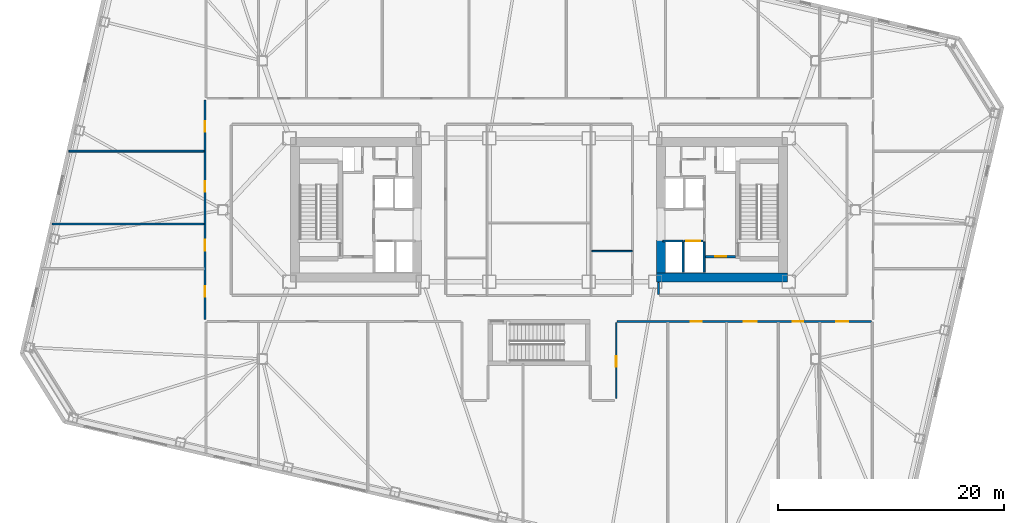
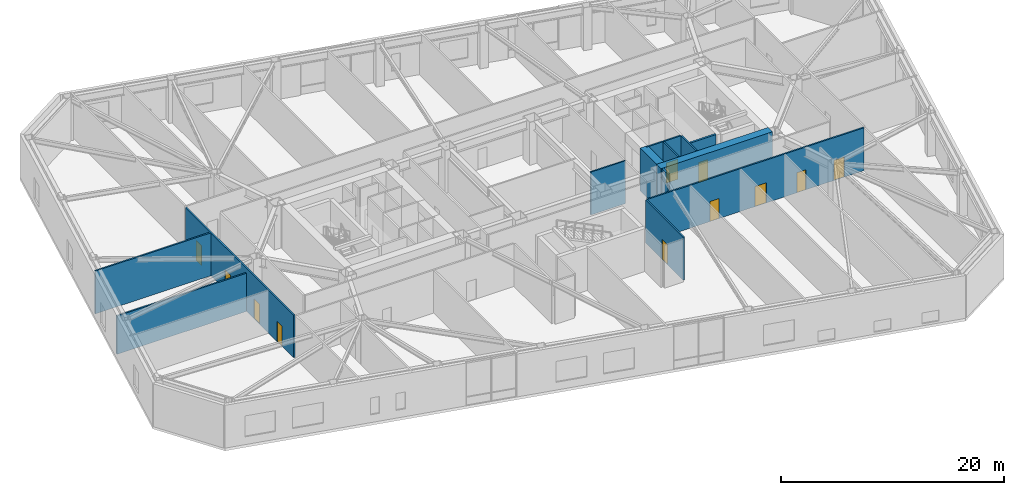
# One storey, part 11 of 21: 14 walls, 11 doors, 11 openings.
"""IFC4 building model written with IfcOpenShell, lengths in metres."""

from ifc_helpers import new_model, si_unit, direction, frame, frame_2d, origin, place, context, subcontext, project, spatial, rectangle, extrude, material, layer, layer_set, type_object, element, fill, save


model = new_model("IFC4")

# Units and contexts
model_context = context("Model", 3, precision=1e-05, world=origin(), true_north=direction((0.0, 1.0)))
body_context = subcontext(model_context, "Body", "Model", "MODEL_VIEW")
ifc_project = project(units=[si_unit("LENGTHUNIT", "METRE"), si_unit("AREAUNIT", "SQUARE_METRE"), si_unit("VOLUMEUNIT", "CUBIC_METRE"), si_unit("PLANEANGLEUNIT", "RADIAN"), si_unit("MASSUNIT", "GRAM", prefix="KILO")], contexts=[model_context])

# Site, building, storey
site_placement = place(None, origin())
site = spatial("IfcSite", under=ifc_project, at=site_placement, CompositionType="ELEMENT")
building_placement = place(site_placement, origin())
building = spatial("IfcBuilding", under=site, at=building_placement, Name="Tavrogorsk Clinical Tower", CompositionType="ELEMENT")
storey_placement = place(building_placement, frame((0.0, 0.0, 8.39990234375)))
storey = spatial("IfcBuildingStorey", under=building, at=storey_placement, Name="L01", CompositionType="ELEMENT", Elevation=8.39990234375)

# Wall, opening, door
ifc_material_1 = material(Name="Concrete B60", Category="concrete")
ifc_layer_1 = layer(ifc_material_1, 0.199951171875)
ifc_layer_set_1 = layer_set([ifc_layer_1], Name="Concrete B60")
wall_type_1 = type_object("IfcWallType", Name="CoreFireWall_200", PredefinedType="SOLIDWALL", material=ifc_layer_set_1)
wall_1_placement = place(storey_placement, frame((14.719970703125, -4.139892578125, 0.0), z_axis=(0.0, 0.0, 1.0), x_axis=(1.0, 0.0, 0.0)))
wall_1 = element("IfcWall", 1, at=wall_1_placement, inside=storey, type_object=wall_type_1, Name="L01 Core East South Core Room Fire Wall", PredefinedType="SOLIDWALL", context=body_context, shape_type="SweptSolid", body=[
    extrude(rectangle(XDim=2.659912109375, YDim=0.199951171875, at=frame_2d((1.330078125, 0.0))), origin(), (0.0, 0.0, 1.0), 4.7001953125),
])
opening_1_placement = place(wall_1_placement, frame((0.8798828125, 0.0, 0.0)))
opening_1 = element("IfcOpeningElement", 2, at=opening_1_placement, cuts=wall_1, Name="Opening ID-02", PredefinedType="OPENING", context=body_context, shape_type="SweptSolid", body=[
    extrude(rectangle(XDim=0.949951171875, YDim=2.199951171875, at=frame_2d((0.47509765625, 1.10009765625))), frame((0.0, 0.10986328125, 0.0), z_axis=(0.0, -1.0, 0.0), x_axis=(1.0, 0.0, 0.0)), (0.0, 0.0, 1.0), 0.219970703125),
])
ifc_material_2 = material(Name="Laminated timber leaf on aluminium frame", Category="wood")
door_type_1 = type_object("IfcDoorType", Name="InteriorDoor_ID02_950", OperationType="NOTDEFINED", PredefinedType="DOOR", material=ifc_material_2)
door_1_placement = place(opening_1_placement, origin())
door_1 = element("IfcDoor", 3, at=door_1_placement, inside=storey, type_object=door_type_1, Name="L01 Core East South Core Room Door", OperationType="SINGLE_SWING_LEFT", OverallHeight=2.199951171875, OverallWidth=0.949951171875, PredefinedType="DOOR", context=body_context, shape_type="SweptSolid", body=[
    extrude(rectangle(XDim=0.949951171875, YDim=2.199951171875, at=frame_2d((0.47509765625, 1.10009765625))), frame((0.0, 0.02490234375, 0.0), z_axis=(0.0, -1.0, 0.0), x_axis=(1.0, 0.0, 0.0)), (0.0, 0.0, 1.0), 0.050048828125),
])
fill(opening_1, door_1)

# Wall
ifc_material_3 = material(Name="Lightweight concrete blockwork B15", Category="masonry")
ifc_layer_2 = layer(ifc_material_3, 0.139892578125)
ifc_layer_set_2 = layer_set([ifc_layer_2], Name="Lightweight concrete blockwork B15")
wall_type_2 = type_object("IfcWallType", Name="PartitionWall_140", PredefinedType="PARTITIONING", material=ifc_layer_set_2)
wall_2_placement = place(storey_placement, frame((4.675048828125, -3.64990234375, 0.0), z_axis=(0.0, 0.0, 1.0), x_axis=(1.0, 0.0, 0.0)))
element("IfcWall", 4, at=wall_2_placement, inside=storey, type_object=wall_type_2, Name="L01 Central Spine Partition 5", PredefinedType="PARTITIONING", context=body_context, shape_type="SweptSolid", body=[
    extrude(rectangle(XDim=3.58984375, YDim=0.139892578125, at=frame_2d((1.794921875, 0.0))), origin(), (0.0, 0.0, 1.0), 4.7001953125),
])

# Wall, openings, doors
ifc_material_4 = material(Name="Lightweight concrete blockwork B15", Category="masonry")
ifc_layer_3 = layer(ifc_material_4, 0.159912109375)
ifc_layer_set_3 = layer_set([ifc_layer_3], Name="Lightweight concrete blockwork B15")
wall_type_3 = type_object("IfcWallType", Name="PartitionWall_160", PredefinedType="PARTITIONING", material=ifc_layer_set_3)
wall_3_placement = place(storey_placement, frame((-29.580078125, -9.715087890625, 0.0), z_axis=(0.0, 0.0, 1.0), x_axis=(0.0, 1.0, 0.0)))
wall_3 = element("IfcWall", 5, at=wall_3_placement, inside=storey, type_object=wall_type_3, Name="L01 Corridor Partition 01", PredefinedType="PARTITIONING", context=body_context, shape_type="SweptSolid", body=[
    extrude(rectangle(XDim=19.43017578125, YDim=0.159912109375, at=frame_2d((9.715087890625, 0.0))), origin(), (0.0, 0.0, 1.0), 4.7001953125),
])
opening_2_placement = place(wall_3_placement, frame((2.01904296875, 0.0, 0.0)))
opening_2 = element("IfcOpeningElement", 6, at=opening_2_placement, cuts=wall_3, Name="Opening ID-02", PredefinedType="OPENING", context=body_context, shape_type="SweptSolid", body=[
    extrude(rectangle(XDim=0.949951171875, YDim=2.199951171875, at=frame_2d((0.47509765625, 1.10009765625))), frame((0.0, 0.08984375, 0.0), z_axis=(0.0, -1.0, 0.0), x_axis=(1.0, 0.0, 0.0)), (0.0, 0.0, 1.0), 0.179931640625),
])
opening_3_placement = place(wall_3_placement, frame((6.10009765625, 0.0, 0.0)))
opening_3 = element("IfcOpeningElement", 7, at=opening_3_placement, cuts=wall_3, Name="Opening ID-02", PredefinedType="OPENING", context=body_context, shape_type="SweptSolid", body=[
    extrude(rectangle(XDim=0.949951171875, YDim=2.199951171875, at=frame_2d((0.47509765625, 1.10009765625))), frame((0.0, 0.08984375, 0.0), z_axis=(0.0, -1.0, 0.0), x_axis=(1.0, 0.0, 0.0)), (0.0, 0.0, 1.0), 0.179931640625),
])
opening_4_placement = place(wall_3_placement, frame((11.300048828125, 0.0, 0.0)))
opening_4 = element("IfcOpeningElement", 8, at=opening_4_placement, cuts=wall_3, Name="Opening ID-02", PredefinedType="OPENING", context=body_context, shape_type="SweptSolid", body=[
    extrude(rectangle(XDim=0.949951171875, YDim=2.199951171875, at=frame_2d((0.47509765625, 1.10009765625))), frame((0.0, 0.08984375, 0.0), z_axis=(0.0, -1.0, 0.0), x_axis=(1.0, 0.0, 0.0)), (0.0, 0.0, 1.0), 0.179931640625),
])
opening_5_placement = place(wall_3_placement, frame((16.630859375, 0.0, 0.0)))
opening_5 = element("IfcOpeningElement", 9, at=opening_5_placement, cuts=wall_3, Name="Opening ID-02", PredefinedType="OPENING", context=body_context, shape_type="SweptSolid", body=[
    extrude(rectangle(XDim=0.949951171875, YDim=2.199951171875, at=frame_2d((0.47509765625, 1.10009765625))), frame((0.0, 0.08984375, 0.0), z_axis=(0.0, -1.0, 0.0), x_axis=(1.0, 0.0, 0.0)), (0.0, 0.0, 1.0), 0.179931640625),
])
door_2_placement = place(opening_2_placement, origin())
door_2 = element("IfcDoor", 10, at=door_2_placement, inside=storey, type_object=door_type_1, Name="L01 W Solarium Day Room & Lounge 1 Door", OperationType="SINGLE_SWING_RIGHT", OverallHeight=2.199951171875, OverallWidth=0.949951171875, PredefinedType="DOOR", context=body_context, shape_type="SweptSolid", body=[
    extrude(rectangle(XDim=0.949951171875, YDim=2.199951171875, at=frame_2d((0.47509765625, 1.10009765625))), frame((0.0, 0.02490234375, 0.0), z_axis=(0.0, -1.0, 0.0), x_axis=(1.0, 0.0, 0.0)), (0.0, 0.0, 1.0), 0.050048828125),
])
fill(opening_2, door_2)
door_3_placement = place(opening_3_placement, origin())
door_3 = element("IfcDoor", 11, at=door_3_placement, inside=storey, type_object=door_type_1, Name="L01 W Rehabilitation Therapy Suite 2 Door", OperationType="SINGLE_SWING_LEFT", OverallHeight=2.199951171875, OverallWidth=0.949951171875, PredefinedType="DOOR", context=body_context, shape_type="SweptSolid", body=[
    extrude(rectangle(XDim=0.949951171875, YDim=2.199951171875, at=frame_2d((0.47509765625, 1.10009765625))), frame((0.0, 0.02490234375, 0.0), z_axis=(0.0, -1.0, 0.0), x_axis=(1.0, 0.0, 0.0)), (0.0, 0.0, 1.0), 0.050048828125),
])
fill(opening_3, door_3)
door_4_placement = place(opening_4_placement, origin())
door_4 = element("IfcDoor", 12, at=door_4_placement, inside=storey, type_object=door_type_1, Name="L01 W Sub-Acute Observation Suite 3 Door", OperationType="SINGLE_SWING_RIGHT", OverallHeight=2.199951171875, OverallWidth=0.949951171875, PredefinedType="DOOR", context=body_context, shape_type="SweptSolid", body=[
    extrude(rectangle(XDim=0.949951171875, YDim=2.199951171875, at=frame_2d((0.47509765625, 1.10009765625))), frame((0.0, 0.02490234375, 0.0), z_axis=(0.0, -1.0, 0.0), x_axis=(1.0, 0.0, 0.0)), (0.0, 0.0, 1.0), 0.050048828125),
])
fill(opening_4, door_4)
door_5_placement = place(opening_5_placement, origin())
door_5 = element("IfcDoor", 13, at=door_5_placement, inside=storey, type_object=door_type_1, Name="L01 W Family Consultation Lounge 4 Door", OperationType="SINGLE_SWING_LEFT", OverallHeight=2.199951171875, OverallWidth=0.949951171875, PredefinedType="DOOR", context=body_context, shape_type="SweptSolid", body=[
    extrude(rectangle(XDim=0.949951171875, YDim=2.199951171875, at=frame_2d((0.47509765625, 1.10009765625))), frame((0.0, 0.02490234375, 0.0), z_axis=(0.0, -1.0, 0.0), x_axis=(1.0, 0.0, 0.0)), (0.0, 0.0, 1.0), 0.050048828125),
])
fill(opening_5, door_5)

wall_4_placement = place(storey_placement, frame((29.4150390625, -9.8798828125, 0.0), z_axis=(0.0, 0.0, 1.0), x_axis=(-1.0, 0.0, 0.0)))
wall_4 = element("IfcWall", 14, at=wall_4_placement, inside=storey, type_object=wall_type_3, Name="L01 Corridor Partition 04", PredefinedType="PARTITIONING", context=body_context, shape_type="SweptSolid", body=[
    extrude(rectangle(XDim=22.5, YDim=0.159912109375, at=frame_2d((11.25, 0.0))), origin(), (0.0, 0.0, 1.0), 4.7001953125),
])
opening_6_placement = place(wall_4_placement, frame((15.02490234375, 0.0, 0.0)))
opening_6 = element("IfcOpeningElement", 15, at=opening_6_placement, cuts=wall_4, Name="Opening ID-02", PredefinedType="OPENING", context=body_context, shape_type="SweptSolid", body=[
    extrude(rectangle(XDim=0.949951171875, YDim=2.199951171875, at=frame_2d((0.47509765625, 1.10009765625))), frame((0.0, 0.08984375, 0.0), z_axis=(0.0, -1.0, 0.0), x_axis=(1.0, 0.0, 0.0)), (0.0, 0.0, 1.0), 0.179931640625),
])
opening_7_placement = place(wall_4_placement, frame((10.137451171875, 0.0, 0.0)))
opening_7 = element("IfcOpeningElement", 16, at=opening_7_placement, cuts=wall_4, Name="Opening ID-06", PredefinedType="OPENING", context=body_context, shape_type="SweptSolid", body=[
    extrude(rectangle(XDim=1.14990234375, YDim=2.199951171875, at=frame_2d((0.574951171875, 1.10009765625))), frame((0.0, 0.08984375, 0.0), z_axis=(0.0, -1.0, 0.0), x_axis=(1.0, 0.0, 0.0)), (0.0, 0.0, 1.0), 0.179931640625),
])
opening_8_placement = place(wall_4_placement, frame((6.012451171875, 0.0, 0.0)))
opening_8 = element("IfcOpeningElement", 17, at=opening_8_placement, cuts=wall_4, Name="Opening ID-02", PredefinedType="OPENING", context=body_context, shape_type="SweptSolid", body=[
    extrude(rectangle(XDim=0.949951171875, YDim=2.199951171875, at=frame_2d((0.47509765625, 1.10009765625))), frame((0.0, 0.08984375, 0.0), z_axis=(0.0, -1.0, 0.0), x_axis=(1.0, 0.0, 0.0)), (0.0, 0.0, 1.0), 0.179931640625),
])
opening_9_placement = place(wall_4_placement, frame((2.044189453125, 0.0, 0.0)))
opening_9 = element("IfcOpeningElement", 18, at=opening_9_placement, cuts=wall_4, Name="Opening ID-04", PredefinedType="OPENING", context=body_context, shape_type="SweptSolid", body=[
    extrude(rectangle(XDim=1.050048828125, YDim=2.199951171875, at=frame_2d((0.52490234375, 1.10009765625))), frame((0.0, 0.08984375, 0.0), z_axis=(0.0, -1.0, 0.0), x_axis=(1.0, 0.0, 0.0)), (0.0, 0.0, 1.0), 0.179931640625),
])
ifc_material_5 = material(Name="Antibacterial HPL consultation door on aluminium frame", Category="aluminium")
door_type_2 = type_object("IfcDoorType", Name="ConsultDoor_ID04_1050", OperationType="NOTDEFINED", PredefinedType="DOOR", material=ifc_material_5)
door_6_placement = place(opening_9_placement, origin())
door_6 = element("IfcDoor", 19, at=door_6_placement, inside=storey, type_object=door_type_2, Name="L01 South Patient Imaging Waiting Lounge 06 Door", OperationType="SINGLE_SWING_LEFT", OverallHeight=2.199951171875, OverallWidth=1.050048828125, PredefinedType="DOOR", context=body_context, shape_type="SweptSolid", body=[
    extrude(rectangle(XDim=1.050048828125, YDim=2.199951171875, at=frame_2d((0.52490234375, 1.10009765625))), frame((0.0, 0.02490234375, 0.0), z_axis=(0.0, -1.0, 0.0), x_axis=(1.0, 0.0, 0.0)), (0.0, 0.0, 1.0), 0.050048828125),
])
fill(opening_9, door_6)
door_7_placement = place(opening_6_placement, origin())
door_7 = element("IfcDoor", 20, at=door_7_placement, inside=storey, type_object=door_type_1, Name="L01 South Clinical Case Seminar Room 04 Door", OperationType="SINGLE_SWING_RIGHT", OverallHeight=2.199951171875, OverallWidth=0.949951171875, PredefinedType="DOOR", context=body_context, shape_type="SweptSolid", body=[
    extrude(rectangle(XDim=0.949951171875, YDim=2.199951171875, at=frame_2d((0.47509765625, 1.10009765625))), frame((0.0, 0.02490234375, 0.0), z_axis=(0.0, -1.0, 0.0), x_axis=(1.0, 0.0, 0.0)), (0.0, 0.0, 1.0), 0.050048828125),
])
fill(opening_6, door_7)
door_8_placement = place(opening_8_placement, origin())
door_8 = element("IfcDoor", 21, at=door_8_placement, inside=storey, type_object=door_type_1, Name="L01 South Clean Medication & Prep Room 05B Door", OperationType="SINGLE_SWING_RIGHT", OverallHeight=2.199951171875, OverallWidth=0.949951171875, PredefinedType="DOOR", context=body_context, shape_type="SweptSolid", body=[
    extrude(rectangle(XDim=0.949951171875, YDim=2.199951171875, at=frame_2d((0.47509765625, 1.10009765625))), frame((0.0, 0.02490234375, 0.0), z_axis=(0.0, -1.0, 0.0), x_axis=(1.0, 0.0, 0.0)), (0.0, 0.0, 1.0), 0.050048828125),
])
fill(opening_8, door_8)
ifc_material_6 = material(Name="Antibacterial HPL procedure door on aluminium frame", Category="aluminium")
door_type_3 = type_object("IfcDoorType", Name="LabDoor_ID06_1150", OperationType="NOTDEFINED", PredefinedType="DOOR", material=ifc_material_6)
door_9_placement = place(opening_7_placement, origin())
door_9 = element("IfcDoor", 22, at=door_9_placement, inside=storey, type_object=door_type_3, Name="L01 South Interventional Radiology Suite 05A Door", OperationType="SINGLE_SWING_LEFT", OverallHeight=2.199951171875, OverallWidth=1.14990234375, PredefinedType="DOOR", context=body_context, shape_type="SweptSolid", body=[
    extrude(rectangle(XDim=1.14990234375, YDim=2.199951171875, at=frame_2d((0.574951171875, 1.10009765625))), frame((0.0, 0.02490234375, 0.0), z_axis=(0.0, -1.0, 0.0), x_axis=(1.0, 0.0, 0.0)), (0.0, 0.0, 1.0), 0.050048828125),
])
fill(opening_7, door_9)

# Wall, opening, door
wall_5_placement = place(storey_placement, frame((6.830078125, -9.965087890625, 0.0), z_axis=(0.0, 0.0, 1.0), x_axis=(0.0, -1.0, 0.0)))
wall_5 = element("IfcWall", 23, at=wall_5_placement, inside=storey, type_object=wall_type_3, Name="L01 Corridor Partition 05", PredefinedType="PARTITIONING", context=body_context, shape_type="SweptSolid", body=[
    extrude(rectangle(XDim=6.75, YDim=0.159912109375, at=frame_2d((3.375, 0.0))), origin(), (0.0, 0.0, 1.0), 4.7001953125),
])
opening_10_placement = place(wall_5_placement, frame((2.985107421875, 0.0, 0.0)))
opening_10 = element("IfcOpeningElement", 24, at=opening_10_placement, cuts=wall_5, Name="Opening ID-02", PredefinedType="OPENING", context=body_context, shape_type="SweptSolid", body=[
    extrude(rectangle(XDim=0.949951171875, YDim=2.199951171875, at=frame_2d((0.47509765625, 1.10009765625))), frame((0.0, 0.08984375, 0.0), z_axis=(0.0, -1.0, 0.0), x_axis=(1.0, 0.0, 0.0)), (0.0, 0.0, 1.0), 0.179931640625),
])
door_10_placement = place(opening_10_placement, origin())
door_10 = element("IfcDoor", 25, at=door_10_placement, inside=storey, type_object=door_type_1, Name="L01 South Radiologist Consultation Office 03B Door", OperationType="SINGLE_SWING_LEFT", OverallHeight=2.199951171875, OverallWidth=0.949951171875, PredefinedType="DOOR", context=body_context, shape_type="SweptSolid", body=[
    extrude(rectangle(XDim=0.949951171875, YDim=2.199951171875, at=frame_2d((0.47509765625, 1.10009765625))), frame((0.0, 0.02490234375, 0.0), z_axis=(0.0, -1.0, 0.0), x_axis=(1.0, 0.0, 0.0)), (0.0, 0.0, 1.0), 0.050048828125),
])
fill(opening_10, door_10)

# Walls
wall_6_placement = place(storey_placement, frame((10.580078125, -6.419921875, 0.0), z_axis=(0.0, 0.0, 1.0), x_axis=(0.0, -1.0, 0.0)))
element("IfcWall", 26, at=wall_6_placement, inside=storey, type_object=wall_type_3, Name="L01 Corridor Partition 14", PredefinedType="PARTITIONING", context=body_context, shape_type="SweptSolid", body=[
    extrude(rectangle(XDim=1.065185546875, YDim=0.159912109375, at=frame_2d((0.53271484375, 0.0))), origin(), (0.0, 0.0, 1.0), 4.7001953125),
])
wall_7_placement = place(storey_placement, frame((-43.130126953125, -1.25, 0.0), z_axis=(0.0, 0.0, 1.0), x_axis=(1.0, 0.0, 0.0)))
element("IfcWall", 27, at=wall_7_placement, inside=storey, type_object=wall_type_3, Name="L01 W Wing Divider 2", PredefinedType="PARTITIONING", context=body_context, shape_type="SweptSolid", body=[
    extrude(rectangle(XDim=13.465087890625, YDim=0.159912109375, at=frame_2d((6.732421875, 0.0))), origin(), (0.0, 0.0, 1.0), 4.195068359375),
])
wall_8_placement = place(storey_placement, frame((-41.64111328125, 5.199951171875, 0.0), z_axis=(0.0, 0.0, 1.0), x_axis=(1.0, 0.0, 0.0)))
element("IfcWall", 28, at=wall_8_placement, inside=storey, type_object=wall_type_3, Name="L01 W Wing Divider 3", PredefinedType="PARTITIONING", context=body_context, shape_type="SweptSolid", body=[
    extrude(rectangle(XDim=11.97607421875, YDim=0.159912109375, at=frame_2d((5.988037109375, 0.0))), origin(), (0.0, 0.0, 1.0), 4.7001953125),
])

# Wall, opening, door
ifc_material_7 = material(Name="Lightweight concrete blockwork B25", Category="masonry")
ifc_layer_4 = layer(ifc_material_7, 0.159912109375)
ifc_layer_set_4 = layer_set([ifc_layer_4], Name="Lightweight concrete blockwork B25")
wall_type_4 = type_object("IfcWallType", Name="ShaftWall_160", PredefinedType="PARTITIONING", material=ifc_layer_set_4)
wall_9_placement = place(storey_placement, frame((12.77001953125, -2.75, 0.0), z_axis=(0.0, 0.0, 1.0), x_axis=(1.0, 0.0, 0.0)))
wall_9 = element("IfcWall", 29, at=wall_9_placement, inside=storey, type_object=wall_type_4, Name="L01 LP-L2 Lift Shaft Portal Wall", PredefinedType="PARTITIONING", context=body_context, shape_type="SweptSolid", body=[
    extrude(rectangle(XDim=1.760009765625, YDim=0.159912109375, at=frame_2d((0.8798828125, 0.0))), origin(), (0.0, 0.0, 1.0), 4.7001953125),
])
opening_11_placement = place(wall_9_placement, frame((0.280029296875, 0.0, 0.0)))
opening_11 = element("IfcOpeningElement", 30, at=opening_11_placement, cuts=wall_9, Name="Opening LD", PredefinedType="OPENING", context=body_context, shape_type="SweptSolid", body=[
    extrude(rectangle(XDim=1.199951171875, YDim=2.199951171875, at=frame_2d((0.60009765625, 1.10009765625))), frame((0.0, 0.08984375, 0.0), z_axis=(0.0, -1.0, 0.0), x_axis=(1.0, 0.0, 0.0)), (0.0, 0.0, 1.0), 0.179931640625),
])
ifc_material_8 = material(Name="Brushed stainless steel AISI 304 sliding doors", Category="steel")
door_type_4 = type_object("IfcDoorType", Name="LiftLandingDoor_LD_1200", OperationType="SLIDING_TO_LEFT", PredefinedType="DOOR", material=ifc_material_8)
door_11_placement = place(opening_11_placement, origin())
door_11 = element("IfcDoor", 31, at=door_11_placement, inside=storey, type_object=door_type_4, Name="L01 LP-L2 Sliding Lift Landing Door", OperationType="SLIDING_TO_LEFT", OverallHeight=2.199951171875, OverallWidth=1.199951171875, PredefinedType="DOOR", context=body_context, shape_type="SweptSolid", body=[
    extrude(rectangle(XDim=1.199951171875, YDim=2.199951171875, at=frame_2d((0.60009765625, 1.10009765625))), frame((0.0, 0.02490234375, 0.0), z_axis=(0.0, -1.0, 0.0), x_axis=(1.0, 0.0, 0.0)), (0.0, 0.0, 1.0), 0.050048828125),
])
fill(opening_11, door_11)

# Walls
for number, where, z_axis, x_axis, name in (
    (32, (12.75, -5.5400390625, 0.0), (0.0, 0.0, 1.0), (0.0, 1.0, 0.0), "L01 LP-L2 Lift Hoistway Divider Wall"),
    (33, (14.610107421875, -5.5400390625, 0.0), (0.0, 0.0, 1.0), (0.0, 1.0, 0.0), "L01 LP-L2 Lift Hoistway Outer Cheek Wall"),
):
    element("IfcWall", number, at=place(storey_placement, frame(where, z_axis=z_axis, x_axis=x_axis)), inside=storey, type_object=wall_type_4, Name=name, PredefinedType="PARTITIONING", context=body_context, shape_type="SweptSolid", body=[
        extrude(rectangle(XDim=2.699951171875, YDim=0.159912109375, at=frame_2d((1.35009765625, 0.0))), origin(), (0.0, 0.0, 1.0), 4.7001953125),
    ])
wall_10_placement = place(storey_placement, frame((10.969970703125, -2.75, 0.0), z_axis=(0.0, 0.0, 1.0), x_axis=(1.0, 0.0, 0.0)))
element("IfcWall", 34, at=wall_10_placement, inside=storey, type_object=wall_type_4, Name="L01 LP-M2 Lift Shaft Portal Wall", PredefinedType="PARTITIONING", context=body_context, shape_type="SweptSolid", body=[
    extrude(rectangle(XDim=1.760009765625, YDim=0.159912109375, at=frame_2d((0.8798828125, 0.0))), origin(), (0.0, 0.0, 1.0), 4.7001953125),
])
ifc_material_9 = material(Name="Concrete B80", Category="concrete")
ifc_layer_5 = layer(ifc_material_9, 0.800048828125)
ifc_layer_set_5 = layer_set([ifc_layer_5], Name="Concrete B80")
wall_type_5 = type_object("IfcWallType", Name="ShearWall_800", PredefinedType="SHEAR", material=ifc_layer_set_5)
wall_11_placement = place(storey_placement, frame((10.39990234375, -6.0, 0.0), z_axis=(0.0, 0.0, 1.0), x_axis=(1.0, 0.0, 0.0)))
element("IfcWall", 35, at=wall_11_placement, inside=storey, type_object=wall_type_5, Name="L01 Core East South Shear Wall", PredefinedType="SHEAR", context=body_context, shape_type="SweptSolid", body=[
    extrude(rectangle(XDim=11.60009765625, YDim=0.800048828125, at=frame_2d((5.800048828125, 0.0))), origin(), (0.0, 0.0, 1.0), 4.7001953125),
])
wall_12_placement = place(storey_placement, frame((10.800048828125, -5.60009765625, 0.0), z_axis=(0.0, 0.0, 1.0), x_axis=(0.0, 1.0, 0.0)))
element("IfcWall", 36, at=wall_12_placement, inside=storey, type_object=wall_type_5, Name="L01 Core East Inner South Pier", PredefinedType="SHEAR", context=body_context, shape_type="SweptSolid", body=[
    extrude(rectangle(XDim=2.9501953125, YDim=0.800048828125, at=frame_2d((1.47509765625, 0.0))), origin(), (0.0, 0.0, 1.0), 4.7001953125),
])

save(model, "model.ifc")
